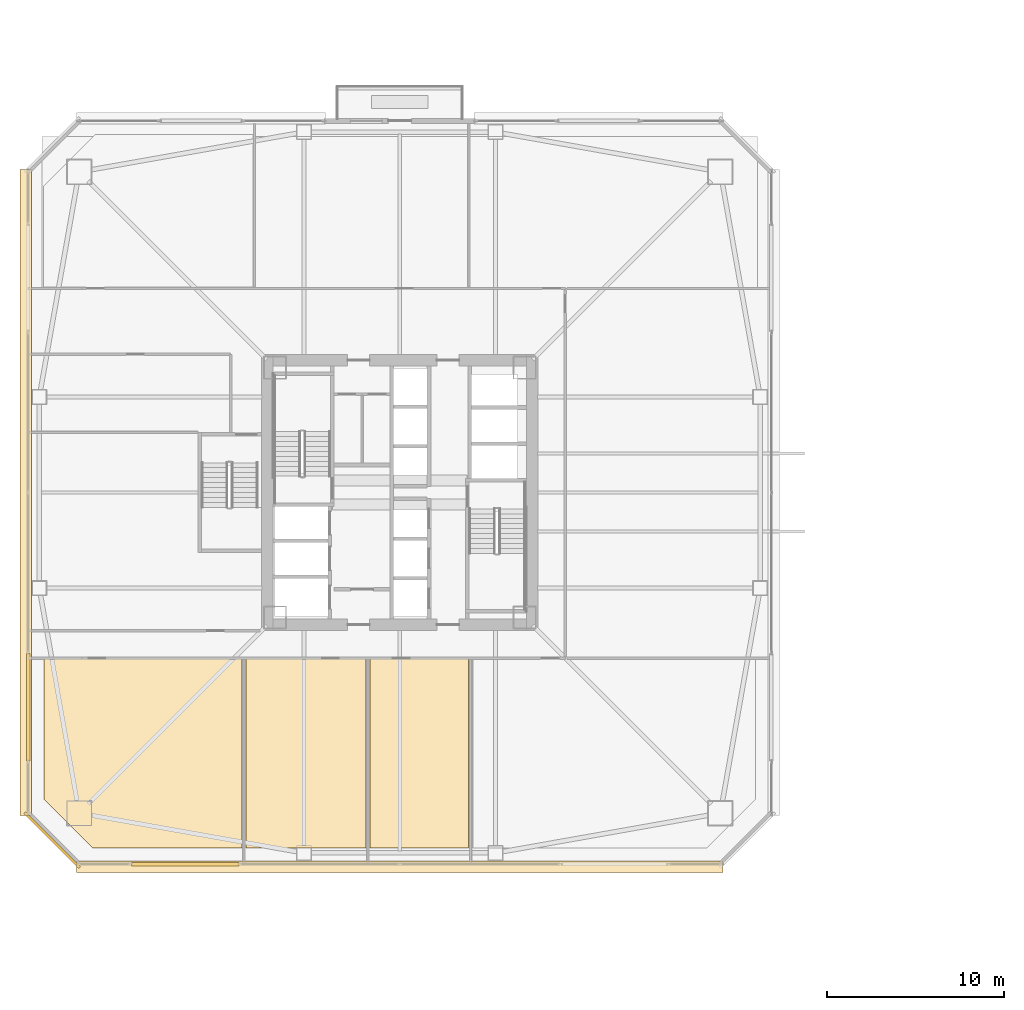
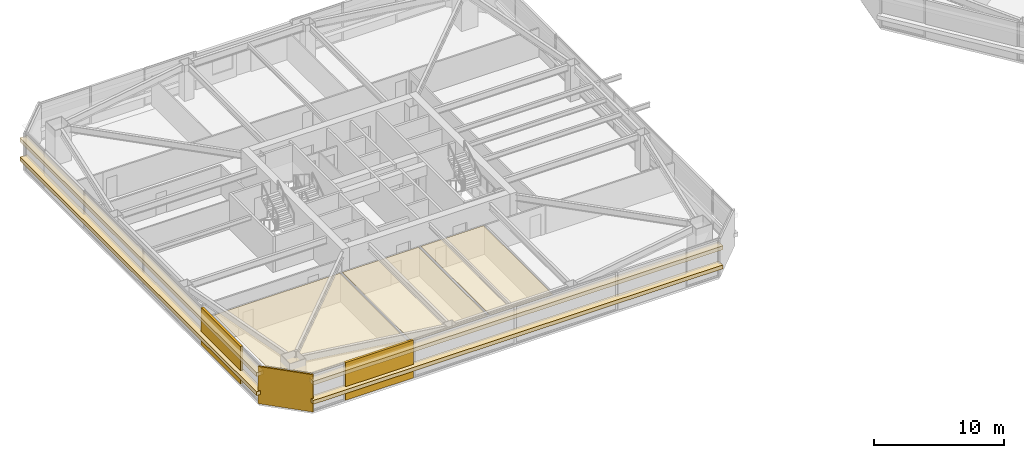
# One storey, part 41 of 47: 10 coverings.
"""IFC4 building model written with IfcOpenShell, lengths in metres."""

from ifc_helpers import new_model, si_unit, direction, frame, origin, origin_2d, place, context, subcontext, project, spatial, polyline, rectangle, outline, extrude, material, layer, layer_set, type_object, element, save


model = new_model("IFC4")

# Units and contexts
model_context = context("Model", 3, precision=1e-05, world=origin(), true_north=direction((0.0, 1.0)))
body_context = subcontext(model_context, "Body", "Model", "MODEL_VIEW")
ifc_project = project(units=[si_unit("LENGTHUNIT", "METRE"), si_unit("AREAUNIT", "SQUARE_METRE"), si_unit("VOLUMEUNIT", "CUBIC_METRE"), si_unit("PLANEANGLEUNIT", "RADIAN"), si_unit("MASSUNIT", "GRAM", prefix="KILO")], contexts=[model_context])

# Site, building, storey
site_placement = place(None, origin())
site = spatial("IfcSite", under=ifc_project, at=site_placement, CompositionType="ELEMENT")
building_placement = place(site_placement, origin())
building = spatial("IfcBuilding", under=site, at=building_placement, Name="Tashvorn Skyway Center", CompositionType="ELEMENT")
storey_placement = place(building_placement, frame((0.0, 0.0, 81.39990234375)))
storey = spatial("IfcBuildingStorey", under=building, at=storey_placement, Name="L21", CompositionType="ELEMENT", Elevation=81.39990234375)

# Coverings
ifc_material_1 = material(Name="Precast concrete C40/50", Category="concrete")
ifc_layer_1 = layer(ifc_material_1, 0.199951171875)
ifc_layer_set_1 = layer_set([ifc_layer_1], Name="Precast concrete C40/50")
covering_type_1 = type_object("IfcCoveringType", Name="COV-BRACE-CLAD", PredefinedType="CLADDING", material=ifc_layer_set_1)
for number, where, z_axis, x_axis, name in (
    (1, (29.8798828125, 11.02001953125, 0.0), (0.0, 0.0, 1.0), (-1.0, 0.0, 0.0), "Tower 1 L21 South Unitised Curtain Wall Mega-Brace Cladding Band 2"),
    (2, (21.02001953125, 19.8798828125, 0.0), (0.0, 0.0, 1.0), (0.0, 1.0, 0.0), "Tower 1 L21 West Unitised Curtain Wall Mega-Brace Cladding Band 1"),
):
    element("IfcCovering", number, at=place(storey_placement, frame(where, z_axis=z_axis, x_axis=x_axis)), inside=storey, type_object=covering_type_1, Name=name, PredefinedType="CLADDING", context=body_context, shape_type="SweptSolid", body=[
        extrude(rectangle(XDim=6.06005859375, YDim=0.199951171875, at=origin_2d()), origin(), (0.0, 0.0, 1.0), 3.550048828125),
    ])
ifc_material_2 = material(Name="Mineral-fibre acoustic ceiling tile on suspended grid")
ifc_layer_2 = layer(ifc_material_2, 0.02001953125)
ifc_layer_set_2 = layer_set([ifc_layer_2], Name="Mineral-fibre acoustic ceiling tile on suspended grid")
covering_type_2 = type_object("IfcCoveringType", Name="COV-CEIL-20", PredefinedType="CEILING", material=ifc_layer_set_2)
covering_1_placement = place(storey_placement, frame((0.0, 0.0, 2.68310546875)))
element("IfcCovering", 3, at=covering_1_placement, inside=storey, type_object=covering_type_2, Name="Tower 1 L21 Executive Suite Acoustic Ceiling", PredefinedType="CEILING", context=body_context, shape_type="SweptSolid", body=[
    extrude(outline(polyline([(21.919921875, 22.610107421875), (33.080078125, 22.610107421875), (33.080078125, 11.919921875), (24.679931640625, 11.919921875), (21.919921875, 14.679931640625), (21.919921875, 22.610107421875)])), origin(), (0.0, 0.0, 1.0), 0.02001953125),
])
covering_2_placement = place(storey_placement, frame((0.0, 0.0, 2.68310546875)))
element("IfcCovering", 4, at=covering_2_placement, inside=storey, type_object=covering_type_2, Name="Tower 1 L21 Catering Pantry Acoustic Ceiling", PredefinedType="CEILING", context=body_context, shape_type="SweptSolid", body=[
    extrude(outline(polyline([(33.320068359375, 22.610107421875), (40.080078125, 22.610107421875), (40.080078125, 11.919921875), (33.320068359375, 11.919921875), (33.320068359375, 22.610107421875)])), origin(), (0.0, 0.0, 1.0), 0.02001953125),
])
covering_3_placement = place(storey_placement, frame((0.0, 0.0, 2.68310546875)))
element("IfcCovering", 5, at=covering_3_placement, inside=storey, type_object=covering_type_2, Name="Tower 1 L21 Catering Pantry Acoustic Ceiling", PredefinedType="CEILING", context=body_context, shape_type="SweptSolid", body=[
    extrude(outline(polyline([(40.320068359375, 22.610107421875), (45.8798828125, 22.610107421875), (45.8798828125, 11.919921875), (40.320068359375, 11.919921875), (40.320068359375, 22.610107421875)])), origin(), (0.0, 0.0, 1.0), 0.02001953125),
])
ifc_material_3 = material(Name="Perforated ceramic-coated bronze aluminium solar screen", Category="aluminium")
ifc_layer_3 = layer(ifc_material_3, 0.85009765625)
ifc_layer_set_3 = layer_set([ifc_layer_3], Name="Perforated ceramic-coated bronze aluminium solar screen")
covering_type_3 = type_object("IfcCoveringType", Name="COV-SOLAR-BAND", PredefinedType="CLADDING", material=ifc_layer_set_3)
for number, where, z_axis, x_axis, name in (
    (6, (42.0, 10.8798828125, 0.919921875), (0.0, 0.0, 1.0), (-1.0, 0.0, 0.0), "L21 Perforated Ceramic-Metal Solar Screen Louvre Band South 1"),
    (7, (42.0, 10.8798828125, 2.72021484375), (0.0, 0.0, 1.0), (-1.0, 0.0, 0.0), "L21 Perforated Ceramic-Metal Solar Screen Louvre Band South 2"),
    (8, (20.8798828125, 32.0, 0.919921875), (0.0, 0.0, 1.0), (0.0, 1.0, 0.0), "L21 Perforated Ceramic-Metal Solar Screen Louvre Band West 1"),
    (9, (20.8798828125, 32.0, 2.72021484375), (0.0, 0.0, 1.0), (0.0, 1.0, 0.0), "L21 Perforated Ceramic-Metal Solar Screen Louvre Band West 2"),
):
    element("IfcCovering", number, at=place(storey_placement, frame(where, z_axis=z_axis, x_axis=x_axis)), inside=storey, type_object=covering_type_3, Name=name, PredefinedType="CLADDING", context=body_context, shape_type="SweptSolid", body=[
        extrude(rectangle(XDim=36.47998046875, YDim=0.639892578125, at=origin_2d()), origin(), (0.0, 0.0, 1.0), 0.360107421875),
    ])
ifc_layer_4 = layer(ifc_material_1, 0.35009765625)
ifc_layer_set_4 = layer_set([ifc_layer_4], Name="Precast concrete C40/50")
covering_type_4 = type_object("IfcCoveringType", Name="COV-STONE-TRIM", PredefinedType="CLADDING", material=ifc_layer_set_4)
covering_4_placement = place(storey_placement, frame((22.3798828125, 12.3798828125, 0.02001953125), z_axis=(0.0, 0.0, 1.0), x_axis=(-0.707106781187, 0.707106781187, 0.0)))
element("IfcCovering", 10, at=covering_4_placement, inside=storey, type_object=covering_type_4, Name="Tower 1 L21 SW Mojave Limestone Corner Quoin", PredefinedType="CLADDING", context=body_context, shape_type="SweptSolid", body=[
    extrude(rectangle(XDim=4.402587890625, YDim=0.139892578125, at=origin_2d()), origin(), (0.0, 0.0, 1.0), 3.510009765625),
])

save(model, "model.ifc")
